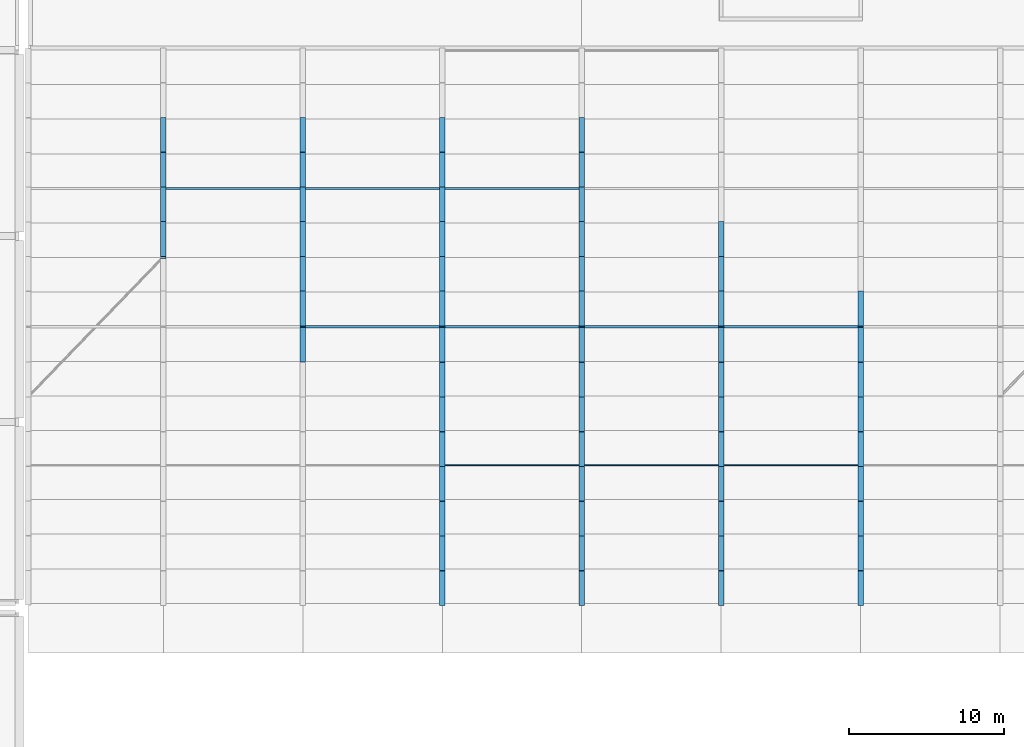
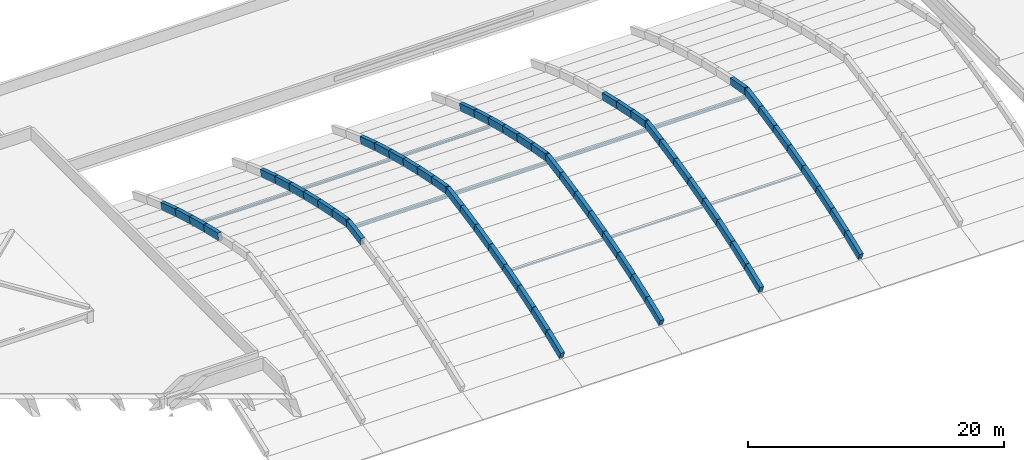
# One storey, part 19 of 56: 59 beams, 10 members.
"""IFC4 building model written with IfcOpenShell, lengths in metres."""

from ifc_helpers import new_model, si_unit, direction, frame, origin, origin_2d, place, context, subcontext, project, spatial, rectangle, hollow_rectangle, i_section, extrude, material, material_profile, profile_set, type_object, element, save


model = new_model("IFC4")

# Units and contexts
model_context = context("Model", 3, precision=1e-05, world=origin(), true_north=direction((0.0, 1.0)))
body_context = subcontext(model_context, "Body", "Model", "MODEL_VIEW")
ifc_project = project(units=[si_unit("LENGTHUNIT", "METRE"), si_unit("AREAUNIT", "SQUARE_METRE"), si_unit("VOLUMEUNIT", "CUBIC_METRE"), si_unit("PLANEANGLEUNIT", "RADIAN"), si_unit("MASSUNIT", "GRAM", prefix="KILO")], contexts=[model_context])

# Site, building, storey
site_placement = place(None, origin())
site = spatial("IfcSite", under=ifc_project, at=site_placement, CompositionType="ELEMENT")
building_placement = place(site_placement, origin())
building = spatial("IfcBuilding", under=site, at=building_placement, Name="Zacnel Wholesale Market", CompositionType="ELEMENT")
storey_placement = place(building_placement, frame((0.0, 0.0, 20.300048828125)))
storey = spatial("IfcBuildingStorey", under=building, at=storey_placement, Name="RF", CompositionType="ELEMENT", Elevation=20.300048828125)

# Beams
ifc_material_1 = material(Name="Concrete C40/50", Category="concrete")
ifc_material_profile_1 = material_profile(ifc_material_1, rectangle(XDim=0.35009765625, YDim=0.699951171875, at=origin_2d()), Name="ARCH RIB 350x700")
ifc_profile_set_1 = profile_set([ifc_material_profile_1], Name="Concrete C40/50")
beam_type = type_object("IfcBeamType", Name="BM-AR700", PredefinedType="USERDEFINED", material=ifc_profile_set_1)
beam_1_placement = place(storey_placement, frame((81.0, 118.612548828125, -4.64013671875), z_axis=(0.0, 0.973898559906, -0.226983688872), x_axis=(-1.0, 0.0, 0.0)))
element("IfcBeam", 1, at=beam_1_placement, inside=storey, type_object=beam_type, Name="Extrados arch rib north_west-81.0-S11", ObjectType="ARCH RIB", PredefinedType="USERDEFINED", context=body_context, shape_type="SweptSolid", body=[
    extrude(rectangle(XDim=0.35009765625, YDim=0.699951171875, at=origin_2d()), origin(), (0.0, 0.0, 1.0), 2.291015625),
])
beam_2_placement = place(storey_placement, frame((81.0, 120.84375, -5.16015625), z_axis=(0.0, 0.967851902384, -0.251520764653), x_axis=(-1.0, 0.0, 0.0)))
element("IfcBeam", 2, at=beam_2_placement, inside=storey, type_object=beam_type, Name="Extrados arch rib north_west-81.0-S12", ObjectType="ARCH RIB", PredefinedType="USERDEFINED", context=body_context, shape_type="SweptSolid", body=[
    extrude(rectangle(XDim=0.35009765625, YDim=0.699951171875, at=origin_2d()), origin(), (0.0, 0.0, 1.0), 2.305419921875),
])
beam_3_placement = place(storey_placement, frame((81.0, 123.074951171875, -5.739990234375), z_axis=(0.0, 0.961229723344, -0.275748833108), x_axis=(-1.0, 0.0, 0.0)))
element("IfcBeam", 3, at=beam_3_placement, inside=storey, type_object=beam_type, Name="Extrados arch rib north_west-81.0-S13", ObjectType="ARCH RIB", PredefinedType="USERDEFINED", context=body_context, shape_type="SweptSolid", body=[
    extrude(rectangle(XDim=0.35009765625, YDim=0.699951171875, at=origin_2d()), origin(), (0.0, 0.0, 1.0), 2.321533203125),
])
beam_4_placement = place(storey_placement, frame((81.0, 125.306396484375, -6.380126953125), z_axis=(0.0, 0.951680151046, -0.30709101274), x_axis=(-1.0, 0.0, 0.0)))
element("IfcBeam", 4, at=beam_4_placement, inside=storey, type_object=beam_type, Name="Extrados arch rib north_west-81.0-S14", ObjectType="ARCH RIB", PredefinedType="USERDEFINED", context=body_context, shape_type="SweptSolid", body=[
    extrude(rectangle(XDim=0.35009765625, YDim=0.699951171875, at=origin_2d()), origin(), (0.0, 0.0, 1.0), 2.344482421875),
])
for number, where, z_axis, x_axis, name in (
    (5, (90.0, 111.918701171875, -4.179931640625), (0.0, 0.984314876249, 0.176420589484), (-1.0, 0.0, 0.0), "Extrados arch rib north_west-90.0-S08"),
    (6, (90.0, 114.14990234375, -3.780029296875), (0.0, 0.984314876249, -0.176420589484), (-1.0, 0.0, 0.0), "Extrados arch rib north_west-90.0-S09"),
):
    element("IfcBeam", number, at=place(storey_placement, frame(where, z_axis=z_axis, x_axis=x_axis)), inside=storey, type_object=beam_type, Name=name, ObjectType="ARCH RIB", PredefinedType="USERDEFINED", context=body_context, shape_type="SweptSolid", body=[
        extrude(rectangle(XDim=0.35009765625, YDim=0.699951171875, at=origin_2d()), origin(), (0.0, 0.0, 1.0), 2.266845703125),
    ])
beam_5_placement = place(storey_placement, frame((90.0, 116.381103515625, -4.179931640625), z_axis=(0.0, 0.979388514875, -0.20198548693), x_axis=(-1.0, 0.0, 0.0)))
element("IfcBeam", 7, at=beam_5_placement, inside=storey, type_object=beam_type, Name="Extrados arch rib north_west-90.0-S10", ObjectType="ARCH RIB", PredefinedType="USERDEFINED", context=body_context, shape_type="SweptSolid", body=[
    extrude(rectangle(XDim=0.35009765625, YDim=0.699951171875, at=origin_2d()), origin(), (0.0, 0.0, 1.0), 2.2783203125),
])
beam_6_placement = place(storey_placement, frame((90.0, 118.612548828125, -4.64013671875), z_axis=(0.0, 0.973898559906, -0.226983688872), x_axis=(-1.0, 0.0, 0.0)))
element("IfcBeam", 8, at=beam_6_placement, inside=storey, type_object=beam_type, Name="Extrados arch rib north_west-90.0-S11", ObjectType="ARCH RIB", PredefinedType="USERDEFINED", context=body_context, shape_type="SweptSolid", body=[
    extrude(rectangle(XDim=0.35009765625, YDim=0.699951171875, at=origin_2d()), origin(), (0.0, 0.0, 1.0), 2.291015625),
])
beam_7_placement = place(storey_placement, frame((90.0, 120.84375, -5.16015625), z_axis=(0.0, 0.967851902384, -0.251520764653), x_axis=(-1.0, 0.0, 0.0)))
element("IfcBeam", 9, at=beam_7_placement, inside=storey, type_object=beam_type, Name="Extrados arch rib north_west-90.0-S12", ObjectType="ARCH RIB", PredefinedType="USERDEFINED", context=body_context, shape_type="SweptSolid", body=[
    extrude(rectangle(XDim=0.35009765625, YDim=0.699951171875, at=origin_2d()), origin(), (0.0, 0.0, 1.0), 2.305419921875),
])
beam_8_placement = place(storey_placement, frame((90.0, 123.074951171875, -5.739990234375), z_axis=(0.0, 0.961229723344, -0.275748833108), x_axis=(-1.0, 0.0, 0.0)))
element("IfcBeam", 10, at=beam_8_placement, inside=storey, type_object=beam_type, Name="Extrados arch rib north_west-90.0-S13", ObjectType="ARCH RIB", PredefinedType="USERDEFINED", context=body_context, shape_type="SweptSolid", body=[
    extrude(rectangle(XDim=0.35009765625, YDim=0.699951171875, at=origin_2d()), origin(), (0.0, 0.0, 1.0), 2.321533203125),
])
beam_9_placement = place(storey_placement, frame((90.0, 125.306396484375, -6.380126953125), z_axis=(0.0, 0.951680151046, -0.30709101274), x_axis=(-1.0, 0.0, 0.0)))
element("IfcBeam", 11, at=beam_9_placement, inside=storey, type_object=beam_type, Name="Extrados arch rib north_west-90.0-S14", ObjectType="ARCH RIB", PredefinedType="USERDEFINED", context=body_context, shape_type="SweptSolid", body=[
    extrude(rectangle(XDim=0.35009765625, YDim=0.699951171875, at=origin_2d()), origin(), (0.0, 0.0, 1.0), 2.344482421875),
])
beam_10_placement = place(storey_placement, frame((99.0, 96.300048828125, -8.780029296875), z_axis=(0.0, 0.930276844905, 0.366858272135), x_axis=(-1.0, 0.0, 0.0)))
element("IfcBeam", 12, at=beam_10_placement, inside=storey, type_object=beam_type, Name="Extrados arch rib north_west-99.0-S01", ObjectType="ARCH RIB", PredefinedType="USERDEFINED", context=body_context, shape_type="SweptSolid", body=[
    extrude(rectangle(XDim=0.35009765625, YDim=0.699951171875, at=origin_2d()), origin(), (0.0, 0.0, 1.0), 2.3984375),
])
beam_11_placement = place(storey_placement, frame((99.0, 98.53125, -7.900146484375), z_axis=(0.0, 0.94131470769, 0.337530178039), x_axis=(-1.0, 0.0, 0.0)))
element("IfcBeam", 13, at=beam_11_placement, inside=storey, type_object=beam_type, Name="Extrados arch rib north_west-99.0-S02", ObjectType="ARCH RIB", PredefinedType="USERDEFINED", context=body_context, shape_type="SweptSolid", body=[
    extrude(rectangle(XDim=0.35009765625, YDim=0.699951171875, at=origin_2d()), origin(), (0.0, 0.0, 1.0), 2.370361328125),
])
beam_12_placement = place(storey_placement, frame((99.0, 100.762451171875, -7.10009765625), z_axis=(0.0, 0.951680151046, 0.30709101274), x_axis=(-1.0, 0.0, 0.0)))
element("IfcBeam", 14, at=beam_12_placement, inside=storey, type_object=beam_type, Name="Extrados arch rib north_west-99.0-S03", ObjectType="ARCH RIB", PredefinedType="USERDEFINED", context=body_context, shape_type="SweptSolid", body=[
    extrude(rectangle(XDim=0.35009765625, YDim=0.699951171875, at=origin_2d()), origin(), (0.0, 0.0, 1.0), 2.344482421875),
])
beam_13_placement = place(storey_placement, frame((99.0, 102.99365234375, -6.380126953125), z_axis=(0.0, 0.961229723344, 0.275748833108), x_axis=(-1.0, 0.0, 0.0)))
element("IfcBeam", 15, at=beam_13_placement, inside=storey, type_object=beam_type, Name="Extrados arch rib north_west-99.0-S04", ObjectType="ARCH RIB", PredefinedType="USERDEFINED", context=body_context, shape_type="SweptSolid", body=[
    extrude(rectangle(XDim=0.35009765625, YDim=0.699951171875, at=origin_2d()), origin(), (0.0, 0.0, 1.0), 2.321533203125),
])
beam_14_placement = place(storey_placement, frame((99.0, 105.22509765625, -5.739990234375), z_axis=(0.0, 0.967851902384, 0.251520764653), x_axis=(-1.0, 0.0, 0.0)))
element("IfcBeam", 16, at=beam_14_placement, inside=storey, type_object=beam_type, Name="Extrados arch rib north_west-99.0-S05", ObjectType="ARCH RIB", PredefinedType="USERDEFINED", context=body_context, shape_type="SweptSolid", body=[
    extrude(rectangle(XDim=0.35009765625, YDim=0.699951171875, at=origin_2d()), origin(), (0.0, 0.0, 1.0), 2.305419921875),
])
beam_15_placement = place(storey_placement, frame((99.0, 107.456298828125, -5.16015625), z_axis=(0.0, 0.973898559906, 0.226983688872), x_axis=(-1.0, 0.0, 0.0)))
element("IfcBeam", 17, at=beam_15_placement, inside=storey, type_object=beam_type, Name="Extrados arch rib north_west-99.0-S06", ObjectType="ARCH RIB", PredefinedType="USERDEFINED", context=body_context, shape_type="SweptSolid", body=[
    extrude(rectangle(XDim=0.35009765625, YDim=0.699951171875, at=origin_2d()), origin(), (0.0, 0.0, 1.0), 2.291015625),
])
beam_16_placement = place(storey_placement, frame((99.0, 109.6875, -4.64013671875), z_axis=(0.0, 0.979384142499, 0.202006686575), x_axis=(-1.0, 0.0, 0.0)))
element("IfcBeam", 18, at=beam_16_placement, inside=storey, type_object=beam_type, Name="Extrados arch rib north_west-99.0-S07", ObjectType="ARCH RIB", PredefinedType="USERDEFINED", context=body_context, shape_type="SweptSolid", body=[
    extrude(rectangle(XDim=0.35009765625, YDim=0.699951171875, at=origin_2d()), origin(), (0.0, 0.0, 1.0), 2.278076171875),
])
for number, where, z_axis, x_axis, name in (
    (19, (99.0, 111.918701171875, -4.179931640625), (0.0, 0.984314876249, 0.176420589484), (-1.0, 0.0, 0.0), "Extrados arch rib north_west-99.0-S08"),
    (20, (99.0, 114.14990234375, -3.780029296875), (0.0, 0.984314876249, -0.176420589484), (-1.0, 0.0, 0.0), "Extrados arch rib north_west-99.0-S09"),
):
    element("IfcBeam", number, at=place(storey_placement, frame(where, z_axis=z_axis, x_axis=x_axis)), inside=storey, type_object=beam_type, Name=name, ObjectType="ARCH RIB", PredefinedType="USERDEFINED", context=body_context, shape_type="SweptSolid", body=[
        extrude(rectangle(XDim=0.35009765625, YDim=0.699951171875, at=origin_2d()), origin(), (0.0, 0.0, 1.0), 2.266845703125),
    ])
beam_17_placement = place(storey_placement, frame((99.0, 116.381103515625, -4.179931640625), z_axis=(0.0, 0.979388514875, -0.20198548693), x_axis=(-1.0, 0.0, 0.0)))
element("IfcBeam", 21, at=beam_17_placement, inside=storey, type_object=beam_type, Name="Extrados arch rib north_west-99.0-S10", ObjectType="ARCH RIB", PredefinedType="USERDEFINED", context=body_context, shape_type="SweptSolid", body=[
    extrude(rectangle(XDim=0.35009765625, YDim=0.699951171875, at=origin_2d()), origin(), (0.0, 0.0, 1.0), 2.2783203125),
])
beam_18_placement = place(storey_placement, frame((99.0, 118.612548828125, -4.64013671875), z_axis=(0.0, 0.973898559906, -0.226983688872), x_axis=(-1.0, 0.0, 0.0)))
element("IfcBeam", 22, at=beam_18_placement, inside=storey, type_object=beam_type, Name="Extrados arch rib north_west-99.0-S11", ObjectType="ARCH RIB", PredefinedType="USERDEFINED", context=body_context, shape_type="SweptSolid", body=[
    extrude(rectangle(XDim=0.35009765625, YDim=0.699951171875, at=origin_2d()), origin(), (0.0, 0.0, 1.0), 2.291015625),
])
beam_19_placement = place(storey_placement, frame((99.0, 120.84375, -5.16015625), z_axis=(0.0, 0.967851902384, -0.251520764653), x_axis=(-1.0, 0.0, 0.0)))
element("IfcBeam", 23, at=beam_19_placement, inside=storey, type_object=beam_type, Name="Extrados arch rib north_west-99.0-S12", ObjectType="ARCH RIB", PredefinedType="USERDEFINED", context=body_context, shape_type="SweptSolid", body=[
    extrude(rectangle(XDim=0.35009765625, YDim=0.699951171875, at=origin_2d()), origin(), (0.0, 0.0, 1.0), 2.305419921875),
])
beam_20_placement = place(storey_placement, frame((99.0, 123.074951171875, -5.739990234375), z_axis=(0.0, 0.961229723344, -0.275748833108), x_axis=(-1.0, 0.0, 0.0)))
element("IfcBeam", 24, at=beam_20_placement, inside=storey, type_object=beam_type, Name="Extrados arch rib north_west-99.0-S13", ObjectType="ARCH RIB", PredefinedType="USERDEFINED", context=body_context, shape_type="SweptSolid", body=[
    extrude(rectangle(XDim=0.35009765625, YDim=0.699951171875, at=origin_2d()), origin(), (0.0, 0.0, 1.0), 2.321533203125),
])
beam_21_placement = place(storey_placement, frame((99.0, 125.306396484375, -6.380126953125), z_axis=(0.0, 0.951680151046, -0.30709101274), x_axis=(-1.0, 0.0, 0.0)))
element("IfcBeam", 25, at=beam_21_placement, inside=storey, type_object=beam_type, Name="Extrados arch rib north_west-99.0-S14", ObjectType="ARCH RIB", PredefinedType="USERDEFINED", context=body_context, shape_type="SweptSolid", body=[
    extrude(rectangle(XDim=0.35009765625, YDim=0.699951171875, at=origin_2d()), origin(), (0.0, 0.0, 1.0), 2.344482421875),
])
beam_22_placement = place(storey_placement, frame((108.0, 96.300048828125, -8.780029296875), z_axis=(0.0, 0.930276844905, 0.366858272135), x_axis=(-1.0, 0.0, 0.0)))
element("IfcBeam", 26, at=beam_22_placement, inside=storey, type_object=beam_type, Name="Extrados arch rib north_west-108.0-S01", ObjectType="ARCH RIB", PredefinedType="USERDEFINED", context=body_context, shape_type="SweptSolid", body=[
    extrude(rectangle(XDim=0.35009765625, YDim=0.699951171875, at=origin_2d()), origin(), (0.0, 0.0, 1.0), 2.3984375),
])
beam_23_placement = place(storey_placement, frame((108.0, 98.53125, -7.900146484375), z_axis=(0.0, 0.94131470769, 0.337530178039), x_axis=(-1.0, 0.0, 0.0)))
element("IfcBeam", 27, at=beam_23_placement, inside=storey, type_object=beam_type, Name="Extrados arch rib north_west-108.0-S02", ObjectType="ARCH RIB", PredefinedType="USERDEFINED", context=body_context, shape_type="SweptSolid", body=[
    extrude(rectangle(XDim=0.35009765625, YDim=0.699951171875, at=origin_2d()), origin(), (0.0, 0.0, 1.0), 2.370361328125),
])
beam_24_placement = place(storey_placement, frame((108.0, 100.762451171875, -7.10009765625), z_axis=(0.0, 0.951680151046, 0.30709101274), x_axis=(-1.0, 0.0, 0.0)))
element("IfcBeam", 28, at=beam_24_placement, inside=storey, type_object=beam_type, Name="Extrados arch rib north_west-108.0-S03", ObjectType="ARCH RIB", PredefinedType="USERDEFINED", context=body_context, shape_type="SweptSolid", body=[
    extrude(rectangle(XDim=0.35009765625, YDim=0.699951171875, at=origin_2d()), origin(), (0.0, 0.0, 1.0), 2.344482421875),
])
beam_25_placement = place(storey_placement, frame((108.0, 102.99365234375, -6.380126953125), z_axis=(0.0, 0.961229723344, 0.275748833108), x_axis=(-1.0, 0.0, 0.0)))
element("IfcBeam", 29, at=beam_25_placement, inside=storey, type_object=beam_type, Name="Extrados arch rib north_west-108.0-S04", ObjectType="ARCH RIB", PredefinedType="USERDEFINED", context=body_context, shape_type="SweptSolid", body=[
    extrude(rectangle(XDim=0.35009765625, YDim=0.699951171875, at=origin_2d()), origin(), (0.0, 0.0, 1.0), 2.321533203125),
])
beam_26_placement = place(storey_placement, frame((108.0, 105.22509765625, -5.739990234375), z_axis=(0.0, 0.967851902384, 0.251520764653), x_axis=(-1.0, 0.0, 0.0)))
element("IfcBeam", 30, at=beam_26_placement, inside=storey, type_object=beam_type, Name="Extrados arch rib north_west-108.0-S05", ObjectType="ARCH RIB", PredefinedType="USERDEFINED", context=body_context, shape_type="SweptSolid", body=[
    extrude(rectangle(XDim=0.35009765625, YDim=0.699951171875, at=origin_2d()), origin(), (0.0, 0.0, 1.0), 2.305419921875),
])
beam_27_placement = place(storey_placement, frame((108.0, 107.456298828125, -5.16015625), z_axis=(0.0, 0.973898559906, 0.226983688872), x_axis=(-1.0, 0.0, 0.0)))
element("IfcBeam", 31, at=beam_27_placement, inside=storey, type_object=beam_type, Name="Extrados arch rib north_west-108.0-S06", ObjectType="ARCH RIB", PredefinedType="USERDEFINED", context=body_context, shape_type="SweptSolid", body=[
    extrude(rectangle(XDim=0.35009765625, YDim=0.699951171875, at=origin_2d()), origin(), (0.0, 0.0, 1.0), 2.291015625),
])
beam_28_placement = place(storey_placement, frame((108.0, 109.6875, -4.64013671875), z_axis=(0.0, 0.979384142499, 0.202006686575), x_axis=(-1.0, 0.0, 0.0)))
element("IfcBeam", 32, at=beam_28_placement, inside=storey, type_object=beam_type, Name="Extrados arch rib north_west-108.0-S07", ObjectType="ARCH RIB", PredefinedType="USERDEFINED", context=body_context, shape_type="SweptSolid", body=[
    extrude(rectangle(XDim=0.35009765625, YDim=0.699951171875, at=origin_2d()), origin(), (0.0, 0.0, 1.0), 2.278076171875),
])
for number, where, z_axis, x_axis, name in (
    (33, (108.0, 111.918701171875, -4.179931640625), (0.0, 0.984314876249, 0.176420589484), (-1.0, 0.0, 0.0), "Extrados arch rib north_west-108.0-S08"),
    (34, (108.0, 114.14990234375, -3.780029296875), (0.0, 0.984314876249, -0.176420589484), (-1.0, 0.0, 0.0), "Extrados arch rib north_west-108.0-S09"),
):
    element("IfcBeam", number, at=place(storey_placement, frame(where, z_axis=z_axis, x_axis=x_axis)), inside=storey, type_object=beam_type, Name=name, ObjectType="ARCH RIB", PredefinedType="USERDEFINED", context=body_context, shape_type="SweptSolid", body=[
        extrude(rectangle(XDim=0.35009765625, YDim=0.699951171875, at=origin_2d()), origin(), (0.0, 0.0, 1.0), 2.266845703125),
    ])
beam_29_placement = place(storey_placement, frame((108.0, 116.381103515625, -4.179931640625), z_axis=(0.0, 0.979388514875, -0.20198548693), x_axis=(-1.0, 0.0, 0.0)))
element("IfcBeam", 35, at=beam_29_placement, inside=storey, type_object=beam_type, Name="Extrados arch rib north_west-108.0-S10", ObjectType="ARCH RIB", PredefinedType="USERDEFINED", context=body_context, shape_type="SweptSolid", body=[
    extrude(rectangle(XDim=0.35009765625, YDim=0.699951171875, at=origin_2d()), origin(), (0.0, 0.0, 1.0), 2.2783203125),
])
beam_30_placement = place(storey_placement, frame((108.0, 118.612548828125, -4.64013671875), z_axis=(0.0, 0.973898559906, -0.226983688872), x_axis=(-1.0, 0.0, 0.0)))
element("IfcBeam", 36, at=beam_30_placement, inside=storey, type_object=beam_type, Name="Extrados arch rib north_west-108.0-S11", ObjectType="ARCH RIB", PredefinedType="USERDEFINED", context=body_context, shape_type="SweptSolid", body=[
    extrude(rectangle(XDim=0.35009765625, YDim=0.699951171875, at=origin_2d()), origin(), (0.0, 0.0, 1.0), 2.291015625),
])
beam_31_placement = place(storey_placement, frame((108.0, 120.84375, -5.16015625), z_axis=(0.0, 0.967851902384, -0.251520764653), x_axis=(-1.0, 0.0, 0.0)))
element("IfcBeam", 37, at=beam_31_placement, inside=storey, type_object=beam_type, Name="Extrados arch rib north_west-108.0-S12", ObjectType="ARCH RIB", PredefinedType="USERDEFINED", context=body_context, shape_type="SweptSolid", body=[
    extrude(rectangle(XDim=0.35009765625, YDim=0.699951171875, at=origin_2d()), origin(), (0.0, 0.0, 1.0), 2.305419921875),
])
beam_32_placement = place(storey_placement, frame((108.0, 123.074951171875, -5.739990234375), z_axis=(0.0, 0.961229723344, -0.275748833108), x_axis=(-1.0, 0.0, 0.0)))
element("IfcBeam", 38, at=beam_32_placement, inside=storey, type_object=beam_type, Name="Extrados arch rib north_west-108.0-S13", ObjectType="ARCH RIB", PredefinedType="USERDEFINED", context=body_context, shape_type="SweptSolid", body=[
    extrude(rectangle(XDim=0.35009765625, YDim=0.699951171875, at=origin_2d()), origin(), (0.0, 0.0, 1.0), 2.321533203125),
])
beam_33_placement = place(storey_placement, frame((108.0, 125.306396484375, -6.380126953125), z_axis=(0.0, 0.951680151046, -0.30709101274), x_axis=(-1.0, 0.0, 0.0)))
element("IfcBeam", 39, at=beam_33_placement, inside=storey, type_object=beam_type, Name="Extrados arch rib north_west-108.0-S14", ObjectType="ARCH RIB", PredefinedType="USERDEFINED", context=body_context, shape_type="SweptSolid", body=[
    extrude(rectangle(XDim=0.35009765625, YDim=0.699951171875, at=origin_2d()), origin(), (0.0, 0.0, 1.0), 2.344482421875),
])
beam_34_placement = place(storey_placement, frame((117.0, 96.300048828125, -8.780029296875), z_axis=(0.0, 0.930276844905, 0.366858272135), x_axis=(-1.0, 0.0, 0.0)))
element("IfcBeam", 40, at=beam_34_placement, inside=storey, type_object=beam_type, Name="Extrados arch rib north_west-117.0-S01", ObjectType="ARCH RIB", PredefinedType="USERDEFINED", context=body_context, shape_type="SweptSolid", body=[
    extrude(rectangle(XDim=0.35009765625, YDim=0.699951171875, at=origin_2d()), origin(), (0.0, 0.0, 1.0), 2.3984375),
])
beam_35_placement = place(storey_placement, frame((117.0, 98.53125, -7.900146484375), z_axis=(0.0, 0.94131470769, 0.337530178039), x_axis=(-1.0, 0.0, 0.0)))
element("IfcBeam", 41, at=beam_35_placement, inside=storey, type_object=beam_type, Name="Extrados arch rib north_west-117.0-S02", ObjectType="ARCH RIB", PredefinedType="USERDEFINED", context=body_context, shape_type="SweptSolid", body=[
    extrude(rectangle(XDim=0.35009765625, YDim=0.699951171875, at=origin_2d()), origin(), (0.0, 0.0, 1.0), 2.370361328125),
])
beam_36_placement = place(storey_placement, frame((117.0, 100.762451171875, -7.10009765625), z_axis=(0.0, 0.951680151046, 0.30709101274), x_axis=(-1.0, 0.0, 0.0)))
element("IfcBeam", 42, at=beam_36_placement, inside=storey, type_object=beam_type, Name="Extrados arch rib north_west-117.0-S03", ObjectType="ARCH RIB", PredefinedType="USERDEFINED", context=body_context, shape_type="SweptSolid", body=[
    extrude(rectangle(XDim=0.35009765625, YDim=0.699951171875, at=origin_2d()), origin(), (0.0, 0.0, 1.0), 2.344482421875),
])
beam_37_placement = place(storey_placement, frame((117.0, 102.99365234375, -6.380126953125), z_axis=(0.0, 0.961229723344, 0.275748833108), x_axis=(-1.0, 0.0, 0.0)))
element("IfcBeam", 43, at=beam_37_placement, inside=storey, type_object=beam_type, Name="Extrados arch rib north_west-117.0-S04", ObjectType="ARCH RIB", PredefinedType="USERDEFINED", context=body_context, shape_type="SweptSolid", body=[
    extrude(rectangle(XDim=0.35009765625, YDim=0.699951171875, at=origin_2d()), origin(), (0.0, 0.0, 1.0), 2.321533203125),
])
beam_38_placement = place(storey_placement, frame((117.0, 105.22509765625, -5.739990234375), z_axis=(0.0, 0.967851902384, 0.251520764653), x_axis=(-1.0, 0.0, 0.0)))
element("IfcBeam", 44, at=beam_38_placement, inside=storey, type_object=beam_type, Name="Extrados arch rib north_west-117.0-S05", ObjectType="ARCH RIB", PredefinedType="USERDEFINED", context=body_context, shape_type="SweptSolid", body=[
    extrude(rectangle(XDim=0.35009765625, YDim=0.699951171875, at=origin_2d()), origin(), (0.0, 0.0, 1.0), 2.305419921875),
])
beam_39_placement = place(storey_placement, frame((117.0, 107.456298828125, -5.16015625), z_axis=(0.0, 0.973898559906, 0.226983688872), x_axis=(-1.0, 0.0, 0.0)))
element("IfcBeam", 45, at=beam_39_placement, inside=storey, type_object=beam_type, Name="Extrados arch rib north_west-117.0-S06", ObjectType="ARCH RIB", PredefinedType="USERDEFINED", context=body_context, shape_type="SweptSolid", body=[
    extrude(rectangle(XDim=0.35009765625, YDim=0.699951171875, at=origin_2d()), origin(), (0.0, 0.0, 1.0), 2.291015625),
])
beam_40_placement = place(storey_placement, frame((117.0, 109.6875, -4.64013671875), z_axis=(0.0, 0.979384142499, 0.202006686575), x_axis=(-1.0, 0.0, 0.0)))
element("IfcBeam", 46, at=beam_40_placement, inside=storey, type_object=beam_type, Name="Extrados arch rib north_west-117.0-S07", ObjectType="ARCH RIB", PredefinedType="USERDEFINED", context=body_context, shape_type="SweptSolid", body=[
    extrude(rectangle(XDim=0.35009765625, YDim=0.699951171875, at=origin_2d()), origin(), (0.0, 0.0, 1.0), 2.278076171875),
])
for number, where, z_axis, x_axis, name in (
    (47, (117.0, 111.918701171875, -4.179931640625), (0.0, 0.984314876249, 0.176420589484), (-1.0, 0.0, 0.0), "Extrados arch rib north_west-117.0-S08"),
    (48, (117.0, 114.14990234375, -3.780029296875), (0.0, 0.984314876249, -0.176420589484), (-1.0, 0.0, 0.0), "Extrados arch rib north_west-117.0-S09"),
):
    element("IfcBeam", number, at=place(storey_placement, frame(where, z_axis=z_axis, x_axis=x_axis)), inside=storey, type_object=beam_type, Name=name, ObjectType="ARCH RIB", PredefinedType="USERDEFINED", context=body_context, shape_type="SweptSolid", body=[
        extrude(rectangle(XDim=0.35009765625, YDim=0.699951171875, at=origin_2d()), origin(), (0.0, 0.0, 1.0), 2.266845703125),
    ])
beam_41_placement = place(storey_placement, frame((117.0, 116.381103515625, -4.179931640625), z_axis=(0.0, 0.979388514875, -0.20198548693), x_axis=(-1.0, 0.0, 0.0)))
element("IfcBeam", 49, at=beam_41_placement, inside=storey, type_object=beam_type, Name="Extrados arch rib north_west-117.0-S10", ObjectType="ARCH RIB", PredefinedType="USERDEFINED", context=body_context, shape_type="SweptSolid", body=[
    extrude(rectangle(XDim=0.35009765625, YDim=0.699951171875, at=origin_2d()), origin(), (0.0, 0.0, 1.0), 2.2783203125),
])
beam_42_placement = place(storey_placement, frame((117.0, 118.612548828125, -4.64013671875), z_axis=(0.0, 0.973898559906, -0.226983688872), x_axis=(-1.0, 0.0, 0.0)))
element("IfcBeam", 50, at=beam_42_placement, inside=storey, type_object=beam_type, Name="Extrados arch rib north_west-117.0-S11", ObjectType="ARCH RIB", PredefinedType="USERDEFINED", context=body_context, shape_type="SweptSolid", body=[
    extrude(rectangle(XDim=0.35009765625, YDim=0.699951171875, at=origin_2d()), origin(), (0.0, 0.0, 1.0), 2.291015625),
])
beam_43_placement = place(storey_placement, frame((126.0, 96.300048828125, -8.780029296875), z_axis=(0.0, 0.930276844905, 0.366858272135), x_axis=(-1.0, 0.0, 0.0)))
element("IfcBeam", 51, at=beam_43_placement, inside=storey, type_object=beam_type, Name="Extrados arch rib north_west-126.0-S01", ObjectType="ARCH RIB", PredefinedType="USERDEFINED", context=body_context, shape_type="SweptSolid", body=[
    extrude(rectangle(XDim=0.35009765625, YDim=0.699951171875, at=origin_2d()), origin(), (0.0, 0.0, 1.0), 2.3984375),
])
beam_44_placement = place(storey_placement, frame((126.0, 98.53125, -7.900146484375), z_axis=(0.0, 0.94131470769, 0.337530178039), x_axis=(-1.0, 0.0, 0.0)))
element("IfcBeam", 52, at=beam_44_placement, inside=storey, type_object=beam_type, Name="Extrados arch rib north_west-126.0-S02", ObjectType="ARCH RIB", PredefinedType="USERDEFINED", context=body_context, shape_type="SweptSolid", body=[
    extrude(rectangle(XDim=0.35009765625, YDim=0.699951171875, at=origin_2d()), origin(), (0.0, 0.0, 1.0), 2.370361328125),
])
beam_45_placement = place(storey_placement, frame((126.0, 100.762451171875, -7.10009765625), z_axis=(0.0, 0.951680151046, 0.30709101274), x_axis=(-1.0, 0.0, 0.0)))
element("IfcBeam", 53, at=beam_45_placement, inside=storey, type_object=beam_type, Name="Extrados arch rib north_west-126.0-S03", ObjectType="ARCH RIB", PredefinedType="USERDEFINED", context=body_context, shape_type="SweptSolid", body=[
    extrude(rectangle(XDim=0.35009765625, YDim=0.699951171875, at=origin_2d()), origin(), (0.0, 0.0, 1.0), 2.344482421875),
])
beam_46_placement = place(storey_placement, frame((126.0, 102.99365234375, -6.380126953125), z_axis=(0.0, 0.961229723344, 0.275748833108), x_axis=(-1.0, 0.0, 0.0)))
element("IfcBeam", 54, at=beam_46_placement, inside=storey, type_object=beam_type, Name="Extrados arch rib north_west-126.0-S04", ObjectType="ARCH RIB", PredefinedType="USERDEFINED", context=body_context, shape_type="SweptSolid", body=[
    extrude(rectangle(XDim=0.35009765625, YDim=0.699951171875, at=origin_2d()), origin(), (0.0, 0.0, 1.0), 2.321533203125),
])
beam_47_placement = place(storey_placement, frame((126.0, 105.22509765625, -5.739990234375), z_axis=(0.0, 0.967851902384, 0.251520764653), x_axis=(-1.0, 0.0, 0.0)))
element("IfcBeam", 55, at=beam_47_placement, inside=storey, type_object=beam_type, Name="Extrados arch rib north_west-126.0-S05", ObjectType="ARCH RIB", PredefinedType="USERDEFINED", context=body_context, shape_type="SweptSolid", body=[
    extrude(rectangle(XDim=0.35009765625, YDim=0.699951171875, at=origin_2d()), origin(), (0.0, 0.0, 1.0), 2.305419921875),
])
beam_48_placement = place(storey_placement, frame((126.0, 107.456298828125, -5.16015625), z_axis=(0.0, 0.973898559906, 0.226983688872), x_axis=(-1.0, 0.0, 0.0)))
element("IfcBeam", 56, at=beam_48_placement, inside=storey, type_object=beam_type, Name="Extrados arch rib north_west-126.0-S06", ObjectType="ARCH RIB", PredefinedType="USERDEFINED", context=body_context, shape_type="SweptSolid", body=[
    extrude(rectangle(XDim=0.35009765625, YDim=0.699951171875, at=origin_2d()), origin(), (0.0, 0.0, 1.0), 2.291015625),
])
beam_49_placement = place(storey_placement, frame((126.0, 109.6875, -4.64013671875), z_axis=(0.0, 0.979384142499, 0.202006686575), x_axis=(-1.0, 0.0, 0.0)))
element("IfcBeam", 57, at=beam_49_placement, inside=storey, type_object=beam_type, Name="Extrados arch rib north_west-126.0-S07", ObjectType="ARCH RIB", PredefinedType="USERDEFINED", context=body_context, shape_type="SweptSolid", body=[
    extrude(rectangle(XDim=0.35009765625, YDim=0.699951171875, at=origin_2d()), origin(), (0.0, 0.0, 1.0), 2.278076171875),
])
for number, where, z_axis, x_axis, name in (
    (58, (126.0, 111.918701171875, -4.179931640625), (0.0, 0.984314876249, 0.176420589484), (-1.0, 0.0, 0.0), "Extrados arch rib north_west-126.0-S08"),
    (59, (126.0, 114.14990234375, -3.780029296875), (0.0, 0.984314876249, -0.176420589484), (-1.0, 0.0, 0.0), "Extrados arch rib north_west-126.0-S09"),
):
    element("IfcBeam", number, at=place(storey_placement, frame(where, z_axis=z_axis, x_axis=x_axis)), inside=storey, type_object=beam_type, Name=name, ObjectType="ARCH RIB", PredefinedType="USERDEFINED", context=body_context, shape_type="SweptSolid", body=[
        extrude(rectangle(XDim=0.35009765625, YDim=0.699951171875, at=origin_2d()), origin(), (0.0, 0.0, 1.0), 2.266845703125),
    ])

# Members
ifc_material_2 = material(Name="Steel S355", Category="steel")
ifc_material_profile_2 = material_profile(ifc_material_2, hollow_rectangle(XDim=0.10009765625, YDim=0.14990234375, WallThickness=0.008056640625, InnerFilletRadius=0.008056640625, OuterFilletRadius=0.01611328125, at=origin_2d()), Name="HSS 150x100x8")
ifc_profile_set_2 = profile_set([ifc_material_profile_2], Name="Steel S355")
member_type_1 = type_object("IfcMemberType", Name="MEM-PUR-HSS150", PredefinedType="PURLIN", material=ifc_profile_set_2)
for number, where, z_axis, x_axis, name in (
    (60, (99.02001953125, 105.22509765625, -6.27001953125), (1.0, 0.0, 0.0), (0.0, 1.0, 0.0), "Shell longitudinal tie purlin 0010"),
    (61, (108.02001953125, 105.22509765625, -6.27001953125), (1.0, 0.0, 0.0), (0.0, 1.0, 0.0), "Shell longitudinal tie purlin 0013"),
    (62, (117.02001953125, 105.22509765625, -6.27001953125), (1.0, 0.0, 0.0), (0.0, 1.0, 0.0), "Shell longitudinal tie purlin 0016"),
):
    element("IfcMember", number, at=place(storey_placement, frame(where, z_axis=z_axis, x_axis=x_axis)), inside=storey, type_object=member_type_1, Name=name, PredefinedType="PURLIN", context=body_context, shape_type="SweptSolid", body=[
        extrude(hollow_rectangle(XDim=0.10009765625, YDim=0.14990234375, WallThickness=0.008056640625, InnerFilletRadius=0.008056640625, OuterFilletRadius=0.01611328125, at=origin_2d()), origin(), (0.0, 0.0, 1.0), 8.9599609375),
    ])
ifc_material_3 = material(Name="Steel S355", Category="steel")
ifc_material_profile_3 = material_profile(ifc_material_3, i_section(OverallWidth=0.133056640625, OverallDepth=0.20703125, WebThickness=0.005859375, FlangeThickness=0.00830078125, FilletRadius=0.008056640625, at=origin_2d()), Name="W200X26.6")
ifc_profile_set_3 = profile_set([ifc_material_profile_3], Name="Steel S355")
member_type_2 = type_object("IfcMemberType", Name="MEM-PUR-W200", PredefinedType="PURLIN", material=ifc_profile_set_3)
for number, where, z_axis, x_axis, name in (
    (63, (81.02001953125, 123.074951171875, -6.298583984375), (1.0, 0.0, 0.0), (0.0, 1.0, 0.0), "Shell longitudinal tie purlin 0006"),
    (64, (90.02001953125, 123.074951171875, -6.298583984375), (1.0, 0.0, 0.0), (0.0, 1.0, 0.0), "Shell longitudinal tie purlin 0009"),
    (65, (99.02001953125, 123.074951171875, -6.298583984375), (1.0, 0.0, 0.0), (0.0, 1.0, 0.0), "Shell longitudinal tie purlin 0012"),
):
    element("IfcMember", number, at=place(storey_placement, frame(where, z_axis=z_axis, x_axis=x_axis)), inside=storey, type_object=member_type_2, Name=name, PredefinedType="PURLIN", context=body_context, shape_type="SweptSolid", body=[
        extrude(i_section(OverallWidth=0.133056640625, OverallDepth=0.20703125, WebThickness=0.005859375, FlangeThickness=0.00830078125, FilletRadius=0.008056640625, at=origin_2d()), origin(), (0.0, 0.0, 1.0), 8.9599609375),
    ])
ifc_material_4 = material(Name="Steel S355", Category="steel")
ifc_material_profile_4 = material_profile(ifc_material_4, i_section(OverallWidth=0.14599609375, OverallDepth=0.258056640625, WebThickness=0.006103515625, FlangeThickness=0.009033203125, FilletRadius=0.009033203125, at=origin_2d()), Name="W250X32.7")
ifc_profile_set_4 = profile_set([ifc_material_profile_4], Name="Steel S355")
member_type_3 = type_object("IfcMemberType", Name="MEM-PUR-W250", PredefinedType="PURLIN", material=ifc_profile_set_4)
for number, where, z_axis, x_axis, name in (
    (66, (90.02001953125, 114.14990234375, -4.364013671875), (1.0, 0.0, 0.0), (0.0, 1.0, 0.0), "Shell longitudinal tie purlin 0008"),
    (67, (99.02001953125, 114.14990234375, -4.364013671875), (1.0, 0.0, 0.0), (0.0, 1.0, 0.0), "Shell longitudinal tie purlin 0011"),
    (68, (108.02001953125, 114.14990234375, -4.364013671875), (1.0, 0.0, 0.0), (0.0, 1.0, 0.0), "Shell longitudinal tie purlin 0014"),
    (69, (117.02001953125, 114.14990234375, -4.364013671875), (1.0, 0.0, 0.0), (0.0, 1.0, 0.0), "Shell longitudinal tie purlin 0017"),
):
    element("IfcMember", number, at=place(storey_placement, frame(where, z_axis=z_axis, x_axis=x_axis)), inside=storey, type_object=member_type_3, Name=name, PredefinedType="PURLIN", context=body_context, shape_type="SweptSolid", body=[
        extrude(i_section(OverallWidth=0.14599609375, OverallDepth=0.258056640625, WebThickness=0.006103515625, FlangeThickness=0.009033203125, FilletRadius=0.009033203125, at=origin_2d()), origin(), (0.0, 0.0, 1.0), 8.9599609375),
    ])

save(model, "model.ifc")
